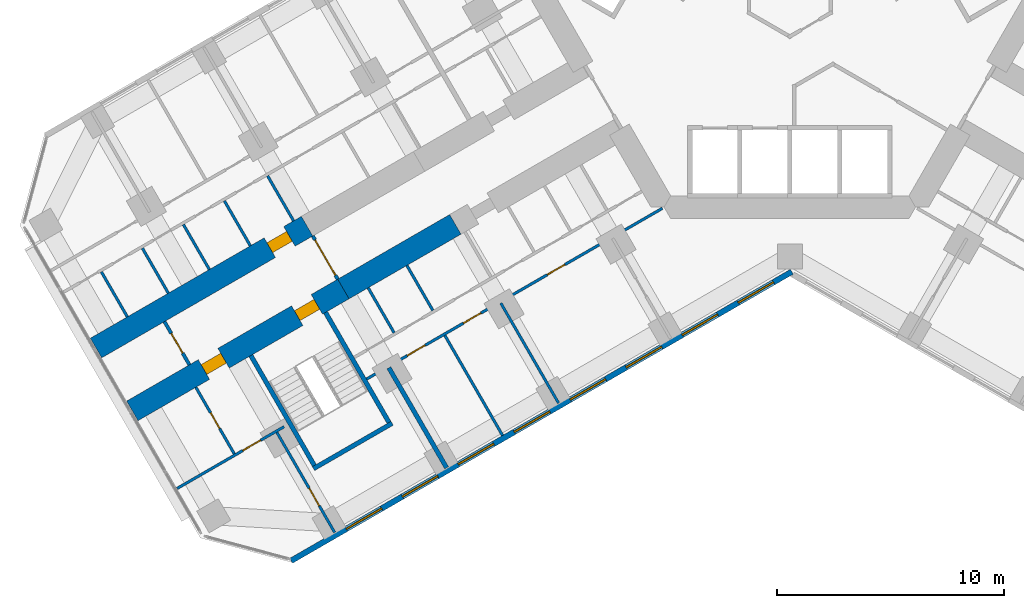
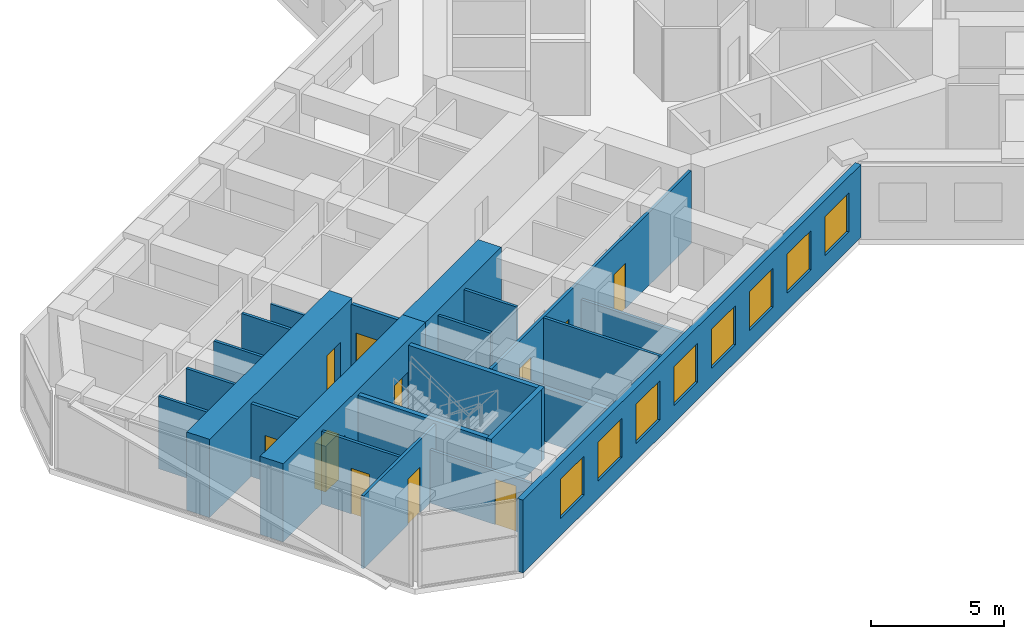
# One storey, part 10 of 21: 23 walls, 11 doors, 8 windows, 19 openings.
"""IFC4 building model written with IfcOpenShell, lengths in metres."""

from ifc_helpers import new_model, si_unit, direction, frame, frame_2d, origin, place, context, subcontext, project, spatial, rectangle, extrude, material, layer, layer_set, type_object, element, fill, save


model = new_model("IFC4")

# Units and contexts
model_context = context("Model", 3, precision=1e-05, world=origin(), true_north=direction((0.0, 1.0)))
body_context = subcontext(model_context, "Body", "Model", "MODEL_VIEW")
ifc_project = project(units=[si_unit("LENGTHUNIT", "METRE"), si_unit("AREAUNIT", "SQUARE_METRE"), si_unit("VOLUMEUNIT", "CUBIC_METRE"), si_unit("PLANEANGLEUNIT", "RADIAN"), si_unit("MASSUNIT", "GRAM", prefix="KILO")], contexts=[model_context])

# Site, building, storey
site_placement = place(None, origin())
site = spatial("IfcSite", under=ifc_project, at=site_placement, CompositionType="ELEMENT")
building_placement = place(site_placement, origin())
building = spatial("IfcBuilding", under=site, at=building_placement, Name="Kosmar Iwan School Tower", CompositionType="ELEMENT")
storey_placement = place(building_placement, frame((0.0, 0.0, 43.0)))
storey = spatial("IfcBuildingStorey", under=building, at=storey_placement, Name="L09", CompositionType="ELEMENT", Elevation=43.0)

# Wall
ifc_material_1 = material(Name="Concrete C50/60", Category="concrete")
ifc_layer_1 = layer(ifc_material_1, 1.0)
ifc_layer_set_1 = layer_set([ifc_layer_1], Name="Corridor buttress wall 1000")
wall_type_1 = type_object("IfcWallType", Name="Corridor buttress wall 1000", PredefinedType="SHEAR", material=ifc_layer_set_1)
wall_1_placement = place(storey_placement, frame((-14.7451171875, -10.360595703125, 0.0), z_axis=(0.0, 0.0, 1.0), x_axis=(-0.866015111908, -0.50001782563, 0.0)))
element("IfcWall", 1, at=wall_1_placement, inside=storey, type_object=wall_type_1, Name="Corridor wall BL bay 2", PredefinedType="SHEAR", context=body_context, shape_type="SweptSolid", body=[
    extrude(rectangle(XDim=5.699951171875, YDim=1.0, at=frame_2d((2.85009765625, 0.0))), origin(), (0.0, 0.0, 1.0), 3.60009765625),
])

# Wall, openings, doors
wall_2_placement = place(storey_placement, frame((-19.681396484375, -13.210693359375, 0.0), z_axis=(0.0, 0.0, 1.0), x_axis=(-0.866028186671, -0.499995179869, 0.0)))
wall_2 = element("IfcWall", 2, at=wall_2_placement, inside=storey, type_object=wall_type_1, Name="Corridor wall BL bay 3", PredefinedType="SHEAR", context=body_context, shape_type="SweptSolid", body=[
    extrude(rectangle(XDim=10.7451171875, YDim=1.0, at=frame_2d((5.37255859375, 0.0))), origin(), (0.0, 0.0, 1.0), 3.60009765625),
])
opening_1_placement = place(wall_2_placement, frame((6.10009765625, 0.0, 0.0)))
opening_1 = element("IfcOpeningElement", 3, at=opening_1_placement, cuts=wall_2, Name="Opening D1", PredefinedType="OPENING", context=body_context, shape_type="SweptSolid", body=[
    extrude(rectangle(XDim=1.0, YDim=2.10009765625, at=frame_2d((0.5, 1.050048828125))), frame((0.0, 0.511962890625, 0.0), z_axis=(0.0, -1.0, 0.0), x_axis=(1.0, 0.0, 0.0)), (0.0, 0.0, 1.0), 1.02392578125),
])
opening_2_placement = place(wall_2_placement, frame((1.35009765625, 0.0, 0.0)))
opening_2 = element("IfcOpeningElement", 4, at=opening_2_placement, cuts=wall_2, Name="Opening D6", PredefinedType="OPENING", context=body_context, shape_type="SweptSolid", body=[
    extrude(rectangle(XDim=1.0, YDim=2.10009765625, at=frame_2d((0.5, 1.050048828125))), frame((0.0, 0.511962890625, 0.0), z_axis=(0.0, -1.0, 0.0), x_axis=(1.0, 0.0, 0.0)), (0.0, 0.0, 1.0), 1.02392578125),
])
ifc_material_2 = material(Name="Timber fire door in steel frame", Category="steel")
door_type_1 = type_object("IfcDoorType", Name="Flat entrance door 1000x2100", OperationType="SINGLE_SWING_LEFT", PredefinedType="DOOR", material=ifc_material_2)
door_1_placement = place(opening_1_placement, origin())
door_1 = element("IfcDoor", 5, at=door_1_placement, inside=storey, type_object=door_type_1, Name="Flat L09-BL2 entrance door", OperationType="SINGLE_SWING_RIGHT", OverallHeight=2.10009765625, OverallWidth=1.0, PredefinedType="DOOR", context=body_context, shape_type="SweptSolid", body=[
    extrude(rectangle(XDim=1.0, YDim=2.10009765625, at=frame_2d((0.5, 1.050048828125))), frame((0.0, 0.25, 0.0), z_axis=(0.0, -1.0, 0.0), x_axis=(1.0, 0.0, 0.0)), (0.0, 0.0, 1.0), 0.5),
])
fill(opening_1, door_1)
ifc_material_3 = material(Name="Steel fire door", Category="steel")
door_type_2 = type_object("IfcDoorType", Name="Stair door 1000x2100", OperationType="SINGLE_SWING_LEFT", PredefinedType="DOOR", material=ifc_material_3)
door_2_placement = place(opening_2_placement, origin())
door_2 = element("IfcDoor", 6, at=door_2_placement, inside=storey, type_object=door_type_2, Name="Stair WS2 door L09", OperationType="SINGLE_SWING_LEFT", OverallHeight=2.10009765625, OverallWidth=1.0, PredefinedType="DOOR", context=body_context, shape_type="SweptSolid", body=[
    extrude(rectangle(XDim=1.0, YDim=2.10009765625, at=frame_2d((0.5, 1.050048828125))), frame((0.0, 0.25, 0.0), z_axis=(0.0, -1.0, 0.0), x_axis=(1.0, 0.0, 0.0)), (0.0, 0.0, 1.0), 0.5),
])
fill(opening_2, door_2)

# Wall, opening, door
wall_3_placement = place(storey_placement, frame((-21.281494140625, -10.439453125, 0.0), z_axis=(0.0, 0.0, 1.0), x_axis=(-0.866032345022, -0.499987977232, 0.0)))
wall_3 = element("IfcWall", 7, at=wall_3_placement, inside=storey, type_object=wall_type_1, Name="Corridor wall BR bay 3", PredefinedType="SHEAR", context=body_context, shape_type="SweptSolid", body=[
    extrude(rectangle(XDim=10.744873046875, YDim=1.0, at=frame_2d((5.37255859375, 0.0))), origin(), (0.0, 0.0, 1.0), 3.60009765625),
])
opening_3_placement = place(wall_3_placement, frame((0.89990234375, 0.0, 0.0)))
opening_3 = element("IfcOpeningElement", 8, at=opening_3_placement, cuts=wall_3, Name="Opening D1", PredefinedType="OPENING", context=body_context, shape_type="SweptSolid", body=[
    extrude(rectangle(XDim=1.0, YDim=2.10009765625, at=frame_2d((0.5, 1.050048828125))), frame((0.0, 0.511962890625, 0.0), z_axis=(0.0, -1.0, 0.0), x_axis=(1.0, 0.0, 0.0)), (0.0, 0.0, 1.0), 1.02392578125),
])
door_3_placement = place(opening_3_placement, origin())
door_3 = element("IfcDoor", 9, at=door_3_placement, inside=storey, type_object=door_type_1, Name="Flat L09-BR2 entrance door", OperationType="SINGLE_SWING_LEFT", OverallHeight=2.10009765625, OverallWidth=1.0, PredefinedType="DOOR", context=body_context, shape_type="SweptSolid", body=[
    extrude(rectangle(XDim=1.0, YDim=2.10009765625, at=frame_2d((0.5, 1.050048828125))), frame((0.0, 0.25, 0.0), z_axis=(0.0, -1.0, 0.0), x_axis=(1.0, 0.0, 0.0)), (0.0, 0.0, 1.0), 0.5),
])
fill(opening_3, door_3)

ifc_material_4 = material(Name="Gypsum board on steel studs, fire-rated", Category="steel")
ifc_layer_2 = layer(ifc_material_4, 0.14990234375)
ifc_layer_set_2 = layer_set([ifc_layer_2], Name="Corridor end wall 150")
wall_type_2 = type_object("IfcWallType", Name="Corridor end wall 150", PredefinedType="PARTITIONING", material=ifc_layer_set_2)
wall_4_placement = place(storey_placement, frame((-27.570068359375, -14.6474609375, 0.0), z_axis=(0.0, 0.0, 1.0), x_axis=(0.50002983664, -0.866008176907, 0.0)))
wall_4 = element("IfcWall", 10, at=wall_4_placement, inside=storey, type_object=wall_type_2, Name="Partition L09-B-CE", PredefinedType="PARTITIONING", context=body_context, shape_type="SweptSolid", body=[
    extrude(rectangle(XDim=2.199951171875, YDim=0.14990234375, at=frame_2d((1.10009765625, 0.0))), origin(), (0.0, 0.0, 1.0), 3.35009765625),
])
opening_4_placement = place(wall_4_placement, frame((0.60009765625, 0.0, 0.0)))
opening_4 = element("IfcOpeningElement", 11, at=opening_4_placement, cuts=wall_4, Name="Opening D13", PredefinedType="OPENING", context=body_context, shape_type="SweptSolid", body=[
    extrude(rectangle(XDim=1.0, YDim=2.10009765625, at=frame_2d((0.5, 1.050048828125))), frame((0.0, 0.0869140625, 0.0), z_axis=(0.0, -1.0, 0.0), x_axis=(1.0, 0.0, 0.0)), (0.0, 0.0, 1.0), 0.173828125),
])
ifc_material_5 = material(Name="Timber fire door with vision panel", Category="wood")
door_type_3 = type_object("IfcDoorType", Name="Corridor end door 1000x2100", OperationType="SINGLE_SWING_LEFT", PredefinedType="DOOR", material=ifc_material_5)
door_4_placement = place(opening_4_placement, origin())
door_4 = element("IfcDoor", 12, at=door_4_placement, inside=storey, type_object=door_type_3, Name="Children's play room door L09-B", OperationType="SINGLE_SWING_LEFT", OverallHeight=2.10009765625, OverallWidth=1.0, PredefinedType="DOOR", context=body_context, shape_type="SweptSolid", body=[
    extrude(rectangle(XDim=1.0, YDim=2.10009765625, at=frame_2d((0.5, 1.050048828125))), frame((0.0, 0.02490234375, 0.0), z_axis=(0.0, -1.0, 0.0), x_axis=(1.0, 0.0, 0.0)), (0.0, 0.0, 1.0), 0.050048828125),
])
fill(opening_4, door_4)

wall_5_placement = place(storey_placement, frame((-21.031494140625, -10.872314453125, 0.0), z_axis=(0.0, 0.0, 1.0), x_axis=(0.50002983664, -0.866008176907, 0.0)))
wall_5 = element("IfcWall", 13, at=wall_5_placement, inside=storey, type_object=wall_type_2, Name="Partition L09-B-HW", PredefinedType="PARTITIONING", context=body_context, shape_type="SweptSolid", body=[
    extrude(rectangle(XDim=2.199951171875, YDim=0.14990234375, at=frame_2d((1.10009765625, 0.0))), origin(), (0.0, 0.0, 1.0), 3.35009765625),
])
opening_5_placement = place(wall_5_placement, frame((0.199951171875, 0.0, 0.0)))
opening_5 = element("IfcOpeningElement", 14, at=opening_5_placement, cuts=wall_5, Name="Opening D9", PredefinedType="OPENING", context=body_context, shape_type="SweptSolid", body=[
    extrude(rectangle(XDim=1.800048828125, YDim=2.10009765625, at=frame_2d((0.89990234375, 1.050048828125))), frame((0.0, 0.0869140625, 0.0), z_axis=(0.0, -1.0, 0.0), x_axis=(1.0, 0.0, 0.0)), (0.0, 0.0, 1.0), 0.173828125),
])
ifc_material_6 = material(Name="Steel framed glazed smoke door", Category="steel")
door_type_4 = type_object("IfcDoorType", Name="Corridor smoke door pair 1800x2100", OperationType="DOUBLE_DOOR_DOUBLE_SWING", PredefinedType="DOOR", material=ifc_material_6)
door_5_placement = place(opening_5_placement, origin())
door_5 = element("IfcDoor", 15, at=door_5_placement, inside=storey, type_object=door_type_4, Name="Entrance vestibule smoke doors L09-B", OperationType="DOUBLE_DOOR_DOUBLE_SWING", OverallHeight=2.10009765625, OverallWidth=1.800048828125, PredefinedType="DOOR", context=body_context, shape_type="SweptSolid", body=[
    extrude(rectangle(XDim=1.800048828125, YDim=2.10009765625, at=frame_2d((0.89990234375, 1.050048828125))), frame((0.0, 0.02490234375, 0.0), z_axis=(0.0, -1.0, 0.0), x_axis=(1.0, 0.0, 0.0)), (0.0, 0.0, 1.0), 0.050048828125),
])
fill(opening_5, door_5)

# Wall, openings, doors
ifc_material_7 = material(Name="Gypsum board on steel studs", Category="steel")
ifc_layer_3 = layer(ifc_material_7, 0.1201171875)
ifc_layer_set_3 = layer_set([ifc_layer_3], Name="Dwelling partition 120")
wall_type_3 = type_object("IfcWallType", Name="Dwelling partition 120", PredefinedType="PARTITIONING", material=ifc_layer_set_3)
wall_6_placement = place(storey_placement, frame((-5.61767578125, -9.65185546875, 0.0), z_axis=(0.0, 0.0, 1.0), x_axis=(-0.866024678464, -0.50000125629, 0.0)))
wall_6 = element("IfcWall", 16, at=wall_6_placement, inside=storey, type_object=wall_type_3, Name="Partition L09-BL1-W2", PredefinedType="PARTITIONING", context=body_context, shape_type="SweptSolid", body=[
    extrude(rectangle(XDim=15.05908203125, YDim=0.1201171875, at=frame_2d((7.529541015625, 0.0))), origin(), (0.0, 0.0, 1.0), 3.35009765625),
])
opening_6_placement = place(wall_6_placement, frame((4.958984375, 0.0, 0.0)))
opening_6 = element("IfcOpeningElement", 17, at=opening_6_placement, cuts=wall_6, Name="Opening D2", PredefinedType="OPENING", context=body_context, shape_type="SweptSolid", body=[
    extrude(rectangle(XDim=0.89990234375, YDim=2.10009765625, at=frame_2d((0.449951171875, 1.050048828125))), frame((0.0, 0.072021484375, 0.0), z_axis=(0.0, -1.0, 0.0), x_axis=(1.0, 0.0, 0.0)), (0.0, 0.0, 1.0), 0.14404296875),
])
opening_7_placement = place(wall_6_placement, frame((9.23388671875, 0.0, 0.0)))
opening_7 = element("IfcOpeningElement", 18, at=opening_7_placement, cuts=wall_6, Name="Opening D2", PredefinedType="OPENING", context=body_context, shape_type="SweptSolid", body=[
    extrude(rectangle(XDim=0.89990234375, YDim=2.10009765625, at=frame_2d((0.449951171875, 1.050048828125))), frame((0.0, 0.072021484375, 0.0), z_axis=(0.0, -1.0, 0.0), x_axis=(1.0, 0.0, 0.0)), (0.0, 0.0, 1.0), 0.14404296875),
])
opening_8_placement = place(wall_6_placement, frame((12.083984375, 0.0, 0.0)))
opening_8 = element("IfcOpeningElement", 19, at=opening_8_placement, cuts=wall_6, Name="Opening D2", PredefinedType="OPENING", context=body_context, shape_type="SweptSolid", body=[
    extrude(rectangle(XDim=0.89990234375, YDim=2.10009765625, at=frame_2d((0.449951171875, 1.050048828125))), frame((0.0, 0.072021484375, 0.0), z_axis=(0.0, -1.0, 0.0), x_axis=(1.0, 0.0, 0.0)), (0.0, 0.0, 1.0), 0.14404296875),
])
ifc_material_8 = material(Name="Timber door in timber frame", Category="wood")
door_type_5 = type_object("IfcDoorType", Name="Internal door 900x2100", OperationType="SINGLE_SWING_LEFT", PredefinedType="DOOR", material=ifc_material_8)
door_6_placement = place(opening_6_placement, origin())
door_6 = element("IfcDoor", 20, at=door_6_placement, inside=storey, type_object=door_type_5, Name="Living room door L09-BL1-F2", OperationType="SINGLE_SWING_LEFT", OverallHeight=2.10009765625, OverallWidth=0.89990234375, PredefinedType="DOOR", context=body_context, shape_type="SweptSolid", body=[
    extrude(rectangle(XDim=0.89990234375, YDim=2.10009765625, at=frame_2d((0.449951171875, 1.050048828125))), frame((0.0, 0.02490234375, 0.0), z_axis=(0.0, -1.0, 0.0), x_axis=(1.0, 0.0, 0.0)), (0.0, 0.0, 1.0), 0.050048828125),
])
fill(opening_6, door_6)
door_7_placement = place(opening_7_placement, origin())
door_7 = element("IfcDoor", 21, at=door_7_placement, inside=storey, type_object=door_type_5, Name="Bedroom 1 door L09-BL1-F3", OperationType="SINGLE_SWING_RIGHT", OverallHeight=2.10009765625, OverallWidth=0.89990234375, PredefinedType="DOOR", context=body_context, shape_type="SweptSolid", body=[
    extrude(rectangle(XDim=0.89990234375, YDim=2.10009765625, at=frame_2d((0.449951171875, 1.050048828125))), frame((0.0, 0.02490234375, 0.0), z_axis=(0.0, -1.0, 0.0), x_axis=(1.0, 0.0, 0.0)), (0.0, 0.0, 1.0), 0.050048828125),
])
fill(opening_7, door_7)
door_8_placement = place(opening_8_placement, origin())
door_8 = element("IfcDoor", 22, at=door_8_placement, inside=storey, type_object=door_type_5, Name="Study door L09-BL1-F4", OperationType="SINGLE_SWING_LEFT", OverallHeight=2.10009765625, OverallWidth=0.89990234375, PredefinedType="DOOR", context=body_context, shape_type="SweptSolid", body=[
    extrude(rectangle(XDim=0.89990234375, YDim=2.10009765625, at=frame_2d((0.449951171875, 1.050048828125))), frame((0.0, 0.02490234375, 0.0), z_axis=(0.0, -1.0, 0.0), x_axis=(1.0, 0.0, 0.0)), (0.0, 0.0, 1.0), 0.050048828125),
])
fill(opening_8, door_8)

# Walls
wall_7_placement = place(storey_placement, frame((-12.740234375, -13.83349609375, 0.0), z_axis=(0.0, 0.0, 1.0), x_axis=(0.500033846865, -0.866005861406, 0.0)))
element("IfcWall", 23, at=wall_7_placement, inside=storey, type_object=wall_type_3, Name="Partition L09-BL1-X2", PredefinedType="PARTITIONING", context=body_context, shape_type="SweptSolid", body=[
    extrude(rectangle(XDim=5.090087890625, YDim=0.1201171875, at=frame_2d((2.544921875, 0.0))), origin(), (0.0, 0.0, 1.0), 2.449951171875),
])
wall_8_placement = place(storey_placement, frame((-15.208251953125, -15.25830078125, 0.0), z_axis=(0.0, 0.0, 1.0), x_axis=(0.499977104415, -0.866038622153, 0.0)))
element("IfcWall", 24, at=wall_8_placement, inside=storey, type_object=wall_type_3, Name="Partition L09-BL1-X3", PredefinedType="PARTITIONING", context=body_context, shape_type="SweptSolid", body=[
    extrude(rectangle(XDim=5.090087890625, YDim=0.1201171875, at=frame_2d((2.544921875, 0.0))), origin(), (0.0, 0.0, 1.0), 3.35009765625),
])
wall_9_placement = place(storey_placement, frame((-16.8828125, -12.172119140625, 0.0), z_axis=(0.0, 0.0, 1.0), x_axis=(0.499968531483, -0.866043571379, 0.0)))
element("IfcWall", 25, at=wall_9_placement, inside=storey, type_object=wall_type_3, Name="Partition L09-BL1-Y5", PredefinedType="PARTITIONING", context=body_context, shape_type="SweptSolid", body=[
    extrude(rectangle(XDim=2.290283203125, YDim=0.1201171875, at=frame_2d((1.14501953125, 0.0))), origin(), (0.0, 0.0, 1.0), 3.35009765625),
])
wall_10_placement = place(storey_placement, frame((-18.59033203125, -13.157958984375, 0.0), z_axis=(0.0, 0.0, 1.0), x_axis=(0.500014693593, -0.866016920268, 0.0)))
element("IfcWall", 26, at=wall_10_placement, inside=storey, type_object=wall_type_3, Name="Partition L09-BL1-Y6", PredefinedType="PARTITIONING", context=body_context, shape_type="SweptSolid", body=[
    extrude(rectangle(XDim=2.2900390625, YDim=0.1201171875, at=frame_2d((1.14501953125, 0.0))), origin(), (0.0, 0.0, 1.0), 3.35009765625),
])

# Wall, opening, door
wall_11_placement = place(storey_placement, frame((-22.61279296875, -19.533447265625, 0.0), z_axis=(0.0, 0.0, 1.0), x_axis=(0.499997873537, -0.866026631495, 0.0)))
wall_11 = element("IfcWall", 27, at=wall_11_placement, inside=storey, type_object=wall_type_3, Name="Partition L09-BL2-TX", PredefinedType="PARTITIONING", context=body_context, shape_type="SweptSolid", body=[
    extrude(rectangle(XDim=5.08984375, YDim=0.1201171875, at=frame_2d((2.544921875, 0.0))), origin(), (0.0, 0.0, 1.0), 2.449951171875),
])
opening_9_placement = place(wall_11_placement, frame((2.840087890625, 0.0, 0.0)))
opening_9 = element("IfcOpeningElement", 28, at=opening_9_placement, cuts=wall_11, Name="Opening D2", PredefinedType="OPENING", context=body_context, shape_type="SweptSolid", body=[
    extrude(rectangle(XDim=0.89990234375, YDim=2.10009765625, at=frame_2d((0.449951171875, 1.050048828125))), frame((0.0, 0.072021484375, 0.0), z_axis=(0.0, -1.0, 0.0), x_axis=(1.0, 0.0, 0.0)), (0.0, 0.0, 1.0), 0.14404296875),
])
door_9_placement = place(opening_9_placement, origin())
door_9 = element("IfcDoor", 29, at=door_9_placement, inside=storey, type_object=door_type_5, Name="Bedroom 1 door L09-BL2-T1", OperationType="SINGLE_SWING_RIGHT", OverallHeight=2.10009765625, OverallWidth=0.89990234375, PredefinedType="DOOR", context=body_context, shape_type="SweptSolid", body=[
    extrude(rectangle(XDim=0.89990234375, YDim=2.10009765625, at=frame_2d((0.449951171875, 1.050048828125))), frame((0.0, 0.02490234375, 0.0), z_axis=(0.0, -1.0, 0.0), x_axis=(1.0, 0.0, 0.0)), (0.0, 0.0, 1.0), 0.050048828125),
])
fill(opening_9, door_9)

wall_12_placement = place(storey_placement, frame((-22.29638671875, -19.281494140625, 0.0), z_axis=(0.0, 0.0, 1.0), x_axis=(-0.866035508231, -0.499982498177, 0.0)))
wall_12 = element("IfcWall", 30, at=wall_12_placement, inside=storey, type_object=wall_type_3, Name="Partition L09-BL2-TW", PredefinedType="PARTITIONING", context=body_context, shape_type="SweptSolid", body=[
    extrude(rectangle(XDim=5.445068359375, YDim=0.1201171875, at=frame_2d((2.72265625, 0.0))), origin(), (0.0, 0.0, 1.0), 3.35009765625),
])
opening_10_placement = place(wall_12_placement, frame((1.199951171875, 0.0, 0.0)))
opening_10 = element("IfcOpeningElement", 31, at=opening_10_placement, cuts=wall_12, Name="Opening D2", PredefinedType="OPENING", context=body_context, shape_type="SweptSolid", body=[
    extrude(rectangle(XDim=0.89990234375, YDim=2.10009765625, at=frame_2d((0.449951171875, 1.050048828125))), frame((0.0, 0.072021484375, 0.0), z_axis=(0.0, -1.0, 0.0), x_axis=(1.0, 0.0, 0.0)), (0.0, 0.0, 1.0), 0.14404296875),
])
door_10_placement = place(opening_10_placement, origin())
door_10 = element("IfcDoor", 32, at=door_10_placement, inside=storey, type_object=door_type_5, Name="Entrance hall door L09-BL2-T3", OperationType="SINGLE_SWING_LEFT", OverallHeight=2.10009765625, OverallWidth=0.89990234375, PredefinedType="DOOR", context=body_context, shape_type="SweptSolid", body=[
    extrude(rectangle(XDim=0.89990234375, YDim=2.10009765625, at=frame_2d((0.449951171875, 1.050048828125))), frame((0.0, 0.02490234375, 0.0), z_axis=(0.0, -1.0, 0.0), x_axis=(1.0, 0.0, 0.0)), (0.0, 0.0, 1.0), 0.050048828125),
])
fill(opening_10, door_10)

wall_13_placement = place(storey_placement, frame((-26.1865234375, -17.543701171875, 0.0), z_axis=(0.0, 0.0, 1.0), x_axis=(0.500019607421, -0.866014083139, 0.0)))
wall_13 = element("IfcWall", 33, at=wall_13_placement, inside=storey, type_object=wall_type_3, Name="Partition L09-BL2-TY", PredefinedType="PARTITIONING", context=body_context, shape_type="SweptSolid", body=[
    extrude(rectangle(XDim=3.389892578125, YDim=0.1201171875, at=frame_2d((1.69482421875, 0.0))), origin(), (0.0, 0.0, 1.0), 3.35009765625),
])
opening_11_placement = place(wall_13_placement, frame((1.294921875, 0.0, 0.0)))
opening_11 = element("IfcOpeningElement", 34, at=opening_11_placement, cuts=wall_13, Name="Opening D3", PredefinedType="OPENING", context=body_context, shape_type="SweptSolid", body=[
    extrude(rectangle(XDim=0.800048828125, YDim=2.10009765625, at=frame_2d((0.39990234375, 1.050048828125))), frame((0.0, 0.072021484375, 0.0), z_axis=(0.0, -1.0, 0.0), x_axis=(1.0, 0.0, 0.0)), (0.0, 0.0, 1.0), 0.14404296875),
])
ifc_material_9 = material(Name="Timber door in timber frame", Category="wood")
door_type_6 = type_object("IfcDoorType", Name="Sanitary room door 800x2100", OperationType="SINGLE_SWING_LEFT", PredefinedType="DOOR", material=ifc_material_9)
door_11_placement = place(opening_11_placement, origin())
door_11 = element("IfcDoor", 35, at=door_11_placement, inside=storey, type_object=door_type_6, Name="Bathroom door L09-BL2-T4", OperationType="SINGLE_SWING_LEFT", OverallHeight=2.10009765625, OverallWidth=0.800048828125, PredefinedType="DOOR", context=body_context, shape_type="SweptSolid", body=[
    extrude(rectangle(XDim=0.800048828125, YDim=2.10009765625, at=frame_2d((0.39990234375, 1.050048828125))), frame((0.0, 0.02490234375, 0.0), z_axis=(0.0, -1.0, 0.0), x_axis=(1.0, 0.0, 0.0)), (0.0, 0.0, 1.0), 0.050048828125),
])
fill(opening_11, door_11)

# Walls
wall_14_placement = place(storey_placement, frame((-21.8779296875, -10.206298828125, 0.0), z_axis=(0.0, 0.0, 1.0), x_axis=(-0.500014693593, 0.866016920268, 0.0)))
element("IfcWall", 36, at=wall_14_placement, inside=storey, type_object=wall_type_3, Name="Partition L09-BR2-Y3", PredefinedType="PARTITIONING", context=body_context, shape_type="SweptSolid", body=[
    extrude(rectangle(XDim=2.2900390625, YDim=0.1201171875, at=frame_2d((1.14501953125, 0.0))), origin(), (0.0, 0.0, 1.0), 2.449951171875),
])
for number, where, z_axis, x_axis, name in (
    (37, (-23.783203125, -11.306396484375, 0.0), (0.0, 0.0, 1.0), (-0.500014693593, 0.866016920268, 0.0), "Partition L09-BR2-Y4"),
    (38, (-25.591064453125, -12.35009765625, 0.0), (0.0, 0.0, 1.0), (-0.500014693593, 0.866016920268, 0.0), "Partition L09-BR2-Y5"),
    (39, (-27.39892578125, -13.393798828125, 0.0), (0.0, 0.0, 1.0), (-0.500014693593, 0.866016920268, 0.0), "Partition L09-BR2-Y6"),
    (40, (-29.20654296875, -14.4375, 0.0), (0.0, 0.0, 1.0), (-0.500014693593, 0.866016920268, 0.0), "Partition L09-BR2-Y7"),
):
    element("IfcWall", number, at=place(storey_placement, frame(where, z_axis=z_axis, x_axis=x_axis)), inside=storey, type_object=wall_type_3, Name=name, PredefinedType="PARTITIONING", context=body_context, shape_type="SweptSolid", body=[
        extrude(rectangle(XDim=2.2900390625, YDim=0.1201171875, at=frame_2d((1.14501953125, 0.0))), origin(), (0.0, 0.0, 1.0), 3.35009765625),
    ])
ifc_material_10 = material(Name="Concrete C35/45", Category="concrete")
ifc_layer_4 = layer(ifc_material_10, 0.199951171875)
ifc_layer_set_4 = layer_set([ifc_layer_4], Name="Escape stair wall 200")
wall_type_4 = type_object("IfcWallType", Name="Escape stair wall 200", PredefinedType="SHEAR", material=ifc_layer_set_4)
for number, where, z_axis, x_axis, name in (
    (41, (-20.470703125, -14.24365234375, 0.0), (0.0, 0.0, 1.0), (0.499987231761, -0.866032775405, 0.0), "Stair WS2 wall"),
    (42, (-23.76171875, -16.1435546875, 0.0), (0.0, 0.0, 1.0), (0.500018801468, -0.86601454848, 0.0), "Stair WS2 wall"),
):
    element("IfcWall", number, at=place(storey_placement, frame(where, z_axis=z_axis, x_axis=x_axis)), inside=storey, type_object=wall_type_4, Name=name, PredefinedType="SHEAR", context=body_context, shape_type="SweptSolid", body=[
        extrude(rectangle(XDim=5.800048828125, YDim=0.199951171875, at=frame_2d((2.89990234375, 0.0))), origin(), (0.0, 0.0, 1.0), 3.330078125),
    ])
wall_15_placement = place(storey_placement, frame((-17.5341796875, -19.1298828125, 0.0), z_axis=(0.0, 0.0, 1.0), x_axis=(-0.866026010844, -0.49999894854, 0.0)))
element("IfcWall", 43, at=wall_15_placement, inside=storey, type_object=wall_type_4, Name="Stair WS2 wall", PredefinedType="SHEAR", context=body_context, shape_type="SweptSolid", body=[
    extrude(rectangle(XDim=4.0, YDim=0.199951171875, at=frame_2d((2.0, 0.0))), origin(), (0.0, 0.0, 1.0), 3.330078125),
])

# Wall, openings, windows
ifc_material_11 = material(Name="Black aluminium rainscreen on insulated framing", Category="aluminium")
ifc_layer_5 = layer(ifc_material_11, 0.25)
ifc_layer_set_5 = layer_set([ifc_layer_5], Name="External wall rainscreen 250")
wall_type_5 = type_object("IfcWallType", Name="External wall rainscreen 250", PredefinedType="SOLIDWALL", material=ifc_layer_set_5)
wall_16_placement = place(storey_placement, frame((0.088134765625, -12.44873046875, 0.0), z_axis=(0.0, 0.0, 1.0), x_axis=(-0.866026390279, -0.499998291337, 0.0)))
wall_16 = element("IfcWall", 44, at=wall_16_placement, inside=storey, type_object=wall_type_5, Name="External wall BL L09", PredefinedType="SOLIDWALL", context=body_context, shape_type="SweptSolid", body=[
    extrude(rectangle(XDim=25.4873046875, YDim=0.25, at=frame_2d((12.74365234375, 0.0))), origin(), (0.0, 0.0, 1.0), 3.35009765625),
])
opening_12_placement = place(wall_16_placement, frame((0.927001953125, 0.0, 0.800048828125)))
opening_12 = element("IfcOpeningElement", 45, at=opening_12_placement, cuts=wall_16, Name="Opening W1", PredefinedType="OPENING", context=body_context, shape_type="SweptSolid", body=[
    extrude(rectangle(XDim=1.800048828125, YDim=1.800048828125, at=frame_2d((0.89990234375, 0.89990234375))), frame((0.0, 0.136962890625, 0.0), z_axis=(0.0, -1.0, 0.0), x_axis=(1.0, 0.0, 0.0)), (0.0, 0.0, 1.0), 0.27392578125),
])
opening_13_placement = place(wall_16_placement, frame((3.777099609375, 0.0, 0.800048828125)))
opening_13 = element("IfcOpeningElement", 46, at=opening_13_placement, cuts=wall_16, Name="Opening W1", PredefinedType="OPENING", context=body_context, shape_type="SweptSolid", body=[
    extrude(rectangle(XDim=1.800048828125, YDim=1.800048828125, at=frame_2d((0.89990234375, 0.89990234375))), frame((0.0, 0.136962890625, 0.0), z_axis=(0.0, -1.0, 0.0), x_axis=(1.0, 0.0, 0.0)), (0.0, 0.0, 1.0), 0.27392578125),
])
opening_14_placement = place(wall_16_placement, frame((6.626953125, 0.0, 0.800048828125)))
opening_14 = element("IfcOpeningElement", 47, at=opening_14_placement, cuts=wall_16, Name="Opening W1", PredefinedType="OPENING", context=body_context, shape_type="SweptSolid", body=[
    extrude(rectangle(XDim=1.800048828125, YDim=1.800048828125, at=frame_2d((0.89990234375, 0.89990234375))), frame((0.0, 0.136962890625, 0.0), z_axis=(0.0, -1.0, 0.0), x_axis=(1.0, 0.0, 0.0)), (0.0, 0.0, 1.0), 0.27392578125),
])
opening_15_placement = place(wall_16_placement, frame((9.47705078125, 0.0, 0.800048828125)))
opening_15 = element("IfcOpeningElement", 48, at=opening_15_placement, cuts=wall_16, Name="Opening W1", PredefinedType="OPENING", context=body_context, shape_type="SweptSolid", body=[
    extrude(rectangle(XDim=1.800048828125, YDim=1.800048828125, at=frame_2d((0.89990234375, 0.89990234375))), frame((0.0, 0.136962890625, 0.0), z_axis=(0.0, -1.0, 0.0), x_axis=(1.0, 0.0, 0.0)), (0.0, 0.0, 1.0), 0.27392578125),
])
opening_16_placement = place(wall_16_placement, frame((12.326904296875, 0.0, 0.800048828125)))
opening_16 = element("IfcOpeningElement", 49, at=opening_16_placement, cuts=wall_16, Name="Opening W1", PredefinedType="OPENING", context=body_context, shape_type="SweptSolid", body=[
    extrude(rectangle(XDim=1.800048828125, YDim=1.800048828125, at=frame_2d((0.89990234375, 0.89990234375))), frame((0.0, 0.136962890625, 0.0), z_axis=(0.0, -1.0, 0.0), x_axis=(1.0, 0.0, 0.0)), (0.0, 0.0, 1.0), 0.27392578125),
])
opening_17_placement = place(wall_16_placement, frame((15.177001953125, 0.0, 0.800048828125)))
opening_17 = element("IfcOpeningElement", 50, at=opening_17_placement, cuts=wall_16, Name="Opening W1", PredefinedType="OPENING", context=body_context, shape_type="SweptSolid", body=[
    extrude(rectangle(XDim=1.800048828125, YDim=1.800048828125, at=frame_2d((0.89990234375, 0.89990234375))), frame((0.0, 0.136962890625, 0.0), z_axis=(0.0, -1.0, 0.0), x_axis=(1.0, 0.0, 0.0)), (0.0, 0.0, 1.0), 0.27392578125),
])
opening_18_placement = place(wall_16_placement, frame((18.027099609375, 0.0, 0.800048828125)))
opening_18 = element("IfcOpeningElement", 51, at=opening_18_placement, cuts=wall_16, Name="Opening W1", PredefinedType="OPENING", context=body_context, shape_type="SweptSolid", body=[
    extrude(rectangle(XDim=1.800048828125, YDim=1.800048828125, at=frame_2d((0.89990234375, 0.89990234375))), frame((0.0, 0.136962890625, 0.0), z_axis=(0.0, -1.0, 0.0), x_axis=(1.0, 0.0, 0.0)), (0.0, 0.0, 1.0), 0.27392578125),
])
opening_19_placement = place(wall_16_placement, frame((20.876953125, 0.0, 0.800048828125)))
opening_19 = element("IfcOpeningElement", 52, at=opening_19_placement, cuts=wall_16, Name="Opening W1", PredefinedType="OPENING", context=body_context, shape_type="SweptSolid", body=[
    extrude(rectangle(XDim=1.800048828125, YDim=1.800048828125, at=frame_2d((0.89990234375, 0.89990234375))), frame((0.0, 0.136962890625, 0.0), z_axis=(0.0, -1.0, 0.0), x_axis=(1.0, 0.0, 0.0)), (0.0, 0.0, 1.0), 0.27392578125),
])
ifc_material_12 = material(Name="Black aluminium frame with dark triple glazing", Category="aluminium")
window_type = type_object("IfcWindowType", Name="Window 1800x1800", PartitioningType="SINGLE_PANEL", PredefinedType="WINDOW", material=ifc_material_12)
window_1_placement = place(opening_12_placement, origin())
window_1 = element("IfcWindow", 53, at=window_1_placement, inside=storey, type_object=window_type, Name="Window BL L09 -1", OverallHeight=1.800048828125, OverallWidth=1.800048828125, PartitioningType="SINGLE_PANEL", PredefinedType="WINDOW", context=body_context, shape_type="SweptSolid", body=[
    extrude(rectangle(XDim=1.800048828125, YDim=1.800048828125, at=frame_2d((0.89990234375, 0.89990234375))), frame((0.0, 0.030029296875, 0.0), z_axis=(0.0, -1.0, 0.0), x_axis=(1.0, 0.0, 0.0)), (0.0, 0.0, 1.0), 0.06005859375),
])
fill(opening_12, window_1)
window_2_placement = place(opening_13_placement, origin())
window_2 = element("IfcWindow", 54, at=window_2_placement, inside=storey, type_object=window_type, Name="Window BL L09 0", OverallHeight=1.800048828125, OverallWidth=1.800048828125, PartitioningType="SINGLE_PANEL", PredefinedType="WINDOW", context=body_context, shape_type="SweptSolid", body=[
    extrude(rectangle(XDim=1.800048828125, YDim=1.800048828125, at=frame_2d((0.89990234375, 0.89990234375))), frame((0.0, 0.030029296875, 0.0), z_axis=(0.0, -1.0, 0.0), x_axis=(1.0, 0.0, 0.0)), (0.0, 0.0, 1.0), 0.06005859375),
])
fill(opening_13, window_2)
window_3_placement = place(opening_14_placement, origin())
window_3 = element("IfcWindow", 55, at=window_3_placement, inside=storey, type_object=window_type, Name="Window BL L09 1", OverallHeight=1.800048828125, OverallWidth=1.800048828125, PartitioningType="SINGLE_PANEL", PredefinedType="WINDOW", context=body_context, shape_type="SweptSolid", body=[
    extrude(rectangle(XDim=1.800048828125, YDim=1.800048828125, at=frame_2d((0.89990234375, 0.89990234375))), frame((0.0, 0.030029296875, 0.0), z_axis=(0.0, -1.0, 0.0), x_axis=(1.0, 0.0, 0.0)), (0.0, 0.0, 1.0), 0.06005859375),
])
fill(opening_14, window_3)
window_4_placement = place(opening_15_placement, origin())
window_4 = element("IfcWindow", 56, at=window_4_placement, inside=storey, type_object=window_type, Name="Window BL L09 2", OverallHeight=1.800048828125, OverallWidth=1.800048828125, PartitioningType="SINGLE_PANEL", PredefinedType="WINDOW", context=body_context, shape_type="SweptSolid", body=[
    extrude(rectangle(XDim=1.800048828125, YDim=1.800048828125, at=frame_2d((0.89990234375, 0.89990234375))), frame((0.0, 0.030029296875, 0.0), z_axis=(0.0, -1.0, 0.0), x_axis=(1.0, 0.0, 0.0)), (0.0, 0.0, 1.0), 0.06005859375),
])
fill(opening_15, window_4)
window_5_placement = place(opening_16_placement, origin())
window_5 = element("IfcWindow", 57, at=window_5_placement, inside=storey, type_object=window_type, Name="Window BL L09 3", OverallHeight=1.800048828125, OverallWidth=1.800048828125, PartitioningType="SINGLE_PANEL", PredefinedType="WINDOW", context=body_context, shape_type="SweptSolid", body=[
    extrude(rectangle(XDim=1.800048828125, YDim=1.800048828125, at=frame_2d((0.89990234375, 0.89990234375))), frame((0.0, 0.030029296875, 0.0), z_axis=(0.0, -1.0, 0.0), x_axis=(1.0, 0.0, 0.0)), (0.0, 0.0, 1.0), 0.06005859375),
])
fill(opening_16, window_5)
window_6_placement = place(opening_17_placement, origin())
window_6 = element("IfcWindow", 58, at=window_6_placement, inside=storey, type_object=window_type, Name="Window BL L09 4", OverallHeight=1.800048828125, OverallWidth=1.800048828125, PartitioningType="SINGLE_PANEL", PredefinedType="WINDOW", context=body_context, shape_type="SweptSolid", body=[
    extrude(rectangle(XDim=1.800048828125, YDim=1.800048828125, at=frame_2d((0.89990234375, 0.89990234375))), frame((0.0, 0.030029296875, 0.0), z_axis=(0.0, -1.0, 0.0), x_axis=(1.0, 0.0, 0.0)), (0.0, 0.0, 1.0), 0.06005859375),
])
fill(opening_17, window_6)
window_7_placement = place(opening_18_placement, origin())
window_7 = element("IfcWindow", 59, at=window_7_placement, inside=storey, type_object=window_type, Name="Window BL L09 5", OverallHeight=1.800048828125, OverallWidth=1.800048828125, PartitioningType="SINGLE_PANEL", PredefinedType="WINDOW", context=body_context, shape_type="SweptSolid", body=[
    extrude(rectangle(XDim=1.800048828125, YDim=1.800048828125, at=frame_2d((0.89990234375, 0.89990234375))), frame((0.0, 0.030029296875, 0.0), z_axis=(0.0, -1.0, 0.0), x_axis=(1.0, 0.0, 0.0)), (0.0, 0.0, 1.0), 0.06005859375),
])
fill(opening_18, window_7)
window_8_placement = place(opening_19_placement, origin())
window_8 = element("IfcWindow", 60, at=window_8_placement, inside=storey, type_object=window_type, Name="Window BL L09 6", OverallHeight=1.800048828125, OverallWidth=1.800048828125, PartitioningType="SINGLE_PANEL", PredefinedType="WINDOW", context=body_context, shape_type="SweptSolid", body=[
    extrude(rectangle(XDim=1.800048828125, YDim=1.800048828125, at=frame_2d((0.89990234375, 0.89990234375))), frame((0.0, 0.030029296875, 0.0), z_axis=(0.0, -1.0, 0.0), x_axis=(1.0, 0.0, 0.0)), (0.0, 0.0, 1.0), 0.06005859375),
])
fill(opening_19, window_8)

# Wall
ifc_material_13 = material(Name="Concrete block masonry", Category="masonry")
ifc_layer_6 = layer(ifc_material_13, 0.199951171875)
ifc_layer_set_6 = layer_set([ifc_layer_6], Name="Party wall 200")
wall_type_6 = type_object("IfcWallType", Name="Party wall 200", PredefinedType="PARTITIONING", material=ifc_layer_set_6)
wall_17_placement = place(storey_placement, frame((-17.676513671875, -16.683349609375, 0.0), z_axis=(0.0, 0.0, 1.0), x_axis=(0.499977104415, -0.866038622153, 0.0)))
element("IfcWall", 61, at=wall_17_placement, inside=storey, type_object=wall_type_6, Name="Partition L09-BL2-TB", PredefinedType="PARTITIONING", context=body_context, shape_type="SweptSolid", body=[
    extrude(rectangle(XDim=5.090087890625, YDim=0.199951171875, at=frame_2d((2.544921875, 0.0))), origin(), (0.0, 0.0, 1.0), 2.449951171875),
])

save(model, "model.ifc")
